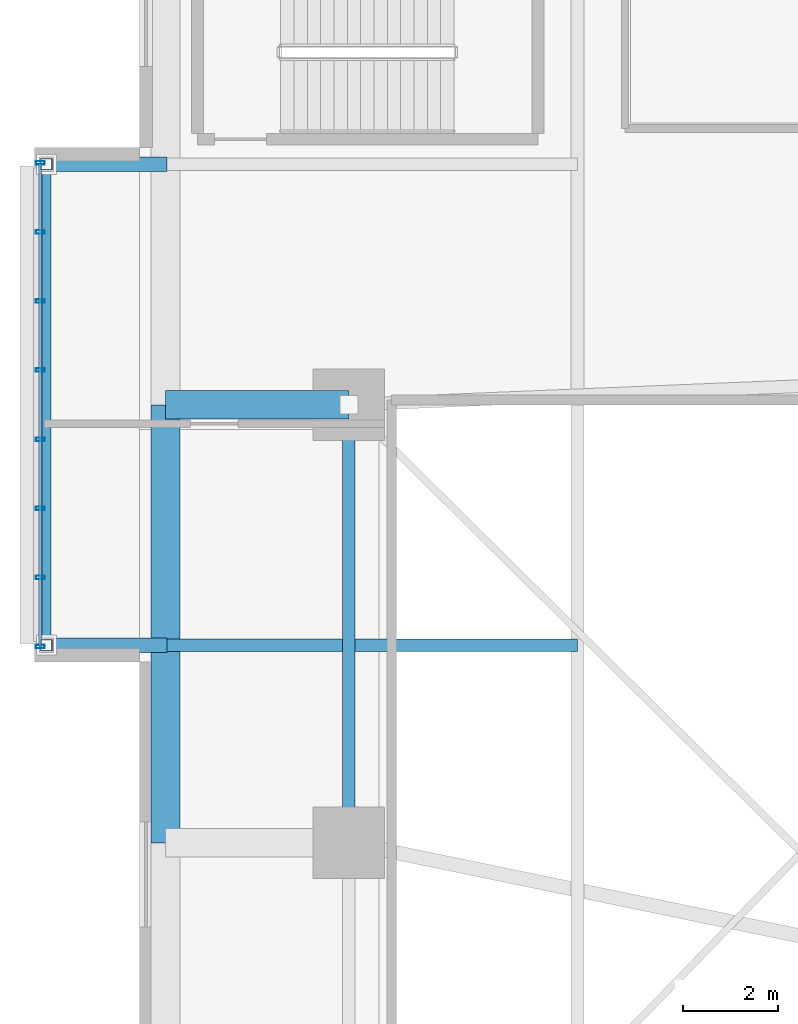
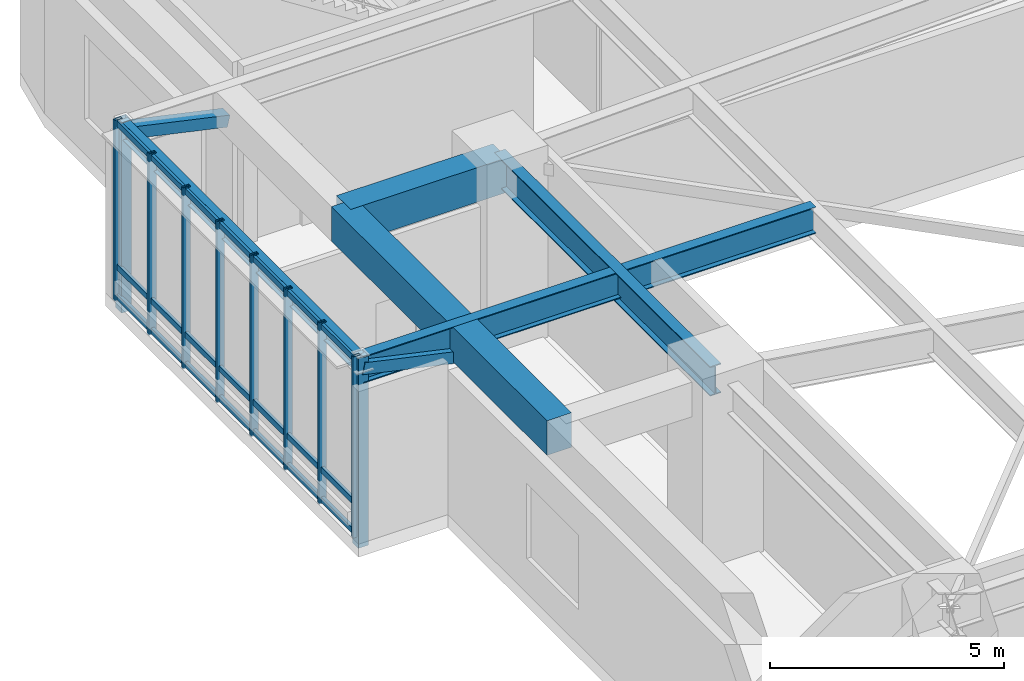
# One storey, part 5 of 24: 15 members, 5 beams, 1 element without a shape of its own.
"""IFC4 building model written with IfcOpenShell, lengths in metres."""

from ifc_helpers import new_model, si_unit, direction, frame, origin, origin_2d, place, context, subcontext, project, spatial, rectangle, hollow_rectangle, i_section, extrude, material, material_profile, profile_set, type_object, element, aggregate, save


model = new_model("IFC4")

# Units and contexts
model_context = context("Model", 3, precision=1e-05, world=origin(), true_north=direction((0.0, 1.0)))
body_context = subcontext(model_context, "Body", "Model", "MODEL_VIEW")
ifc_project = project(units=[si_unit("LENGTHUNIT", "METRE"), si_unit("AREAUNIT", "SQUARE_METRE"), si_unit("VOLUMEUNIT", "CUBIC_METRE"), si_unit("PLANEANGLEUNIT", "RADIAN"), si_unit("MASSUNIT", "GRAM", prefix="KILO")], contexts=[model_context])

# Site, building, storey
site_placement = place(None, origin())
site = spatial("IfcSite", under=ifc_project, at=site_placement, CompositionType="ELEMENT")
building_placement = place(site_placement, origin())
building = spatial("IfcBuilding", under=site, at=building_placement, Name="Zulverin Broadcast Headquarters", CompositionType="ELEMENT")
storey_placement = place(building_placement, frame((0.0, 0.0, 5.0)))
storey = spatial("IfcBuildingStorey", under=building, at=storey_placement, Name="L01", CompositionType="ELEMENT", Elevation=5.0)

# Beams
ifc_material_1 = material(Name="Concrete C40/50", Category="concrete")
ifc_material_profile_1 = material_profile(ifc_material_1, rectangle(XDim=0.60009765625, YDim=0.89990234375, at=origin_2d()), Name="Concrete C40/50", Category="concrete")
ifc_profile_set_1 = profile_set([ifc_material_profile_1], Name="Concrete C40/50")
beam_type_1 = type_object("IfcBeamType", Name="BM-RC-600x900", PredefinedType="BEAM", material=ifc_profile_set_1)
beam_1_placement = place(storey_placement, frame((4.39990234375, 34.39990234375, 4.2099609375), z_axis=(-1.0, 0.0, 0.0), x_axis=(0.0, -1.0, 0.0)))
element("IfcBeam", 1, at=beam_1_placement, inside=storey, type_object=beam_type_1, Name="L01 West Perimeter Bracket Girder WBR-3", PredefinedType="BEAM", context=body_context, shape_type="SweptSolid", body=[
    extrude(rectangle(XDim=0.60009765625, YDim=0.89990234375, at=origin_2d()), origin(), (0.0, 0.0, 1.0), 3.849853515625),
])
beam_2_placement = place(storey_placement, frame((0.550048828125, 25.199951171875, 4.2099609375), z_axis=(0.0, 1.0, 0.0), x_axis=(-1.0, 0.0, 0.0)))
element("IfcBeam", 2, at=beam_2_placement, inside=storey, type_object=beam_type_1, Name="L01 West Edge Spandrel Girder WEG-2", PredefinedType="BEAM", context=body_context, shape_type="SweptSolid", body=[
    extrude(rectangle(XDim=0.60009765625, YDim=0.89990234375, at=origin_2d()), origin(), (0.0, 0.0, 1.0), 9.199951171875),
])
ifc_material_2 = material(Name="Structural steel S355JR", Category="steel")
ifc_material_profile_2 = material_profile(ifc_material_2, i_section(OverallWidth=0.19287109375, OverallDepth=0.46728515625, WebThickness=0.011474609375, FlangeThickness=0.01953125, at=origin_2d()), Name="Structural steel S355JR", Category="steel")
ifc_profile_set_2 = profile_set([ifc_material_profile_2], Name="Structural steel S355JR")
beam_type_2 = type_object("IfcBeamType", Name="BM-UB-457", PredefinedType="JOIST", material=ifc_profile_set_2)
beam_3_placement = place(storey_placement, frame((-1.949951171875, 29.35009765625, 4.426513671875), z_axis=(0.0, 1.0, 0.0), x_axis=(-1.0, 0.0, 0.0)))
element("IfcBeam", 3, at=beam_3_placement, inside=storey, type_object=beam_type_2, Name="L01 Studio Box Edge Beam SBOX_POD_LOWER_W1", PredefinedType="JOIST", context=body_context, shape_type="SweptSolid", body=[
    extrude(i_section(OverallWidth=0.19287109375, OverallDepth=0.46728515625, WebThickness=0.011474609375, FlangeThickness=0.01953125, at=origin_2d()), origin(), (0.0, 0.0, 1.0), 10.099853515625),
])
ifc_material_profile_3 = material_profile(ifc_material_2, i_section(OverallWidth=0.255859375, OverallDepth=0.69287109375, WebThickness=0.014404296875, FlangeThickness=0.023681640625, at=origin_2d()), Name="Structural steel S355JR", Category="steel")
ifc_profile_set_3 = profile_set([ifc_material_profile_3], Name="Structural steel S355JR")
beam_type_3 = type_object("IfcBeamType", Name="BM-UB-686", PredefinedType="BEAM", material=ifc_profile_set_3)
beam_4_placement = place(storey_placement, frame((9.199951171875, 29.35009765625, 4.3134765625), z_axis=(-1.0, 0.0, 0.0), x_axis=(0.0, -1.0, 0.0)))
element("IfcBeam", 4, at=beam_4_placement, inside=storey, type_object=beam_type_3, Name="L01 Studio Box Cantilever Girder SBOX_POD_LOWER_W1-1", PredefinedType="BEAM", context=body_context, shape_type="SweptSolid", body=[
    extrude(i_section(OverallWidth=0.255859375, OverallDepth=0.69287109375, WebThickness=0.014404296875, FlangeThickness=0.023681640625, at=origin_2d()), origin(), (0.0, 0.0, 1.0), 11.14990234375),
])
ifc_material_profile_4 = material_profile(ifc_material_2, i_section(OverallWidth=0.26806640625, OverallDepth=0.769775390625, WebThickness=0.015625, FlangeThickness=0.025390625, at=origin_2d()), Name="Structural steel S355JR", Category="steel")
ifc_profile_set_4 = profile_set([ifc_material_profile_4], Name="Structural steel S355JR")
beam_type_4 = type_object("IfcBeamType", Name="BM-UB-762", PredefinedType="BEAM", material=ifc_profile_set_4)
beam_5_placement = place(storey_placement, frame((4.39990234375, 34.39990234375, 4.275146484375), z_axis=(0.0, -1.0, 0.0), x_axis=(1.0, 0.0, 0.0)))
element("IfcBeam", 5, at=beam_5_placement, inside=storey, type_object=beam_type_4, Name="L01 Podium Primary Girder P13-P12", PredefinedType="BEAM", context=body_context, shape_type="SweptSolid", body=[
    extrude(i_section(OverallWidth=0.26806640625, OverallDepth=0.769775390625, WebThickness=0.015625, FlangeThickness=0.025390625, at=origin_2d()), origin(), (0.0, 0.0, 1.0), 9.199951171875),
])

# Curtain wall, members
ifc_material_3 = material(Name="Acoustic triple-glazed studio box curtain wall", Category="aluminium")
curtain_wall_type = type_object("IfcCurtainWallType", Name="CW-SBOX", PredefinedType="USERDEFINED", material=ifc_material_3)
curtain_wall_placement = place(storey_placement, origin())
curtain_wall = element("IfcCurtainWall", 6, at=curtain_wall_placement, inside=storey, type_object=curtain_wall_type, Name="L01 Unitised Curtain Wall CW-L01-SBOX_POD_LOWER_W1-F", ObjectType="UNITISED CURTAIN WALL", PredefinedType="USERDEFINED")
ifc_material_4 = material(Name="Anodized pale-metal aluminium alloy 6063-T6", Category="aluminium")
ifc_material_profile_5 = material_profile(ifc_material_4, hollow_rectangle(XDim=0.074951171875, YDim=0.179931640625, WallThickness=0.0048828125, at=origin_2d()), Name="Anodized pale-metal aluminium alloy 6063-T6", Category="aluminium")
ifc_profile_set_5 = profile_set([ifc_material_profile_5], Name="Anodized pale-metal aluminium alloy 6063-T6")
member_type_1 = type_object("IfcMemberType", Name="CW-MUL-180", PredefinedType="MULLION", material=ifc_profile_set_5)
member_1_placement = place(storey_placement, frame((-2.080078125, 39.47998046875, -0.030029296875), z_axis=(0.0, 0.0, 1.0), x_axis=(0.0, -1.0, 0.0)))
member_1 = element("IfcMember", 7, at=member_1_placement, type_object=member_type_1, Name="CW-L01-SBOX_POD_LOWER_W1-F Mullion 00", PredefinedType="MULLION", context=body_context, shape_type="SweptSolid", body=[
    extrude(hollow_rectangle(XDim=0.074951171875, YDim=0.179931640625, WallThickness=0.0048828125, at=origin_2d()), origin(), (0.0, 0.0, 1.0), 4.719970703125),
])
member_2_placement = place(storey_placement, frame((-2.080078125, 38.028564453125, -0.030029296875), z_axis=(0.0, 0.0, 1.0), x_axis=(0.0, -1.0, 0.0)))
member_2 = element("IfcMember", 8, at=member_2_placement, type_object=member_type_1, Name="CW-L01-SBOX_POD_LOWER_W1-F Mullion 01", PredefinedType="MULLION", context=body_context, shape_type="SweptSolid", body=[
    extrude(hollow_rectangle(XDim=0.074951171875, YDim=0.179931640625, WallThickness=0.0048828125, at=origin_2d()), origin(), (0.0, 0.0, 1.0), 4.719970703125),
])
member_3_placement = place(storey_placement, frame((-2.080078125, 36.5771484375, -0.030029296875), z_axis=(0.0, 0.0, 1.0), x_axis=(0.0, -1.0, 0.0)))
member_3 = element("IfcMember", 9, at=member_3_placement, type_object=member_type_1, Name="CW-L01-SBOX_POD_LOWER_W1-F Mullion 02", PredefinedType="MULLION", context=body_context, shape_type="SweptSolid", body=[
    extrude(hollow_rectangle(XDim=0.074951171875, YDim=0.179931640625, WallThickness=0.0048828125, at=origin_2d()), origin(), (0.0, 0.0, 1.0), 4.719970703125),
])
member_4_placement = place(storey_placement, frame((-2.080078125, 35.125732421875, -0.030029296875), z_axis=(0.0, 0.0, 1.0), x_axis=(0.0, -1.0, 0.0)))
member_4 = element("IfcMember", 10, at=member_4_placement, type_object=member_type_1, Name="CW-L01-SBOX_POD_LOWER_W1-F Mullion 03", PredefinedType="MULLION", context=body_context, shape_type="SweptSolid", body=[
    extrude(hollow_rectangle(XDim=0.074951171875, YDim=0.179931640625, WallThickness=0.0048828125, at=origin_2d()), origin(), (0.0, 0.0, 1.0), 4.719970703125),
])
member_5_placement = place(storey_placement, frame((-2.080078125, 33.67431640625, -0.030029296875), z_axis=(0.0, 0.0, 1.0), x_axis=(0.0, -1.0, 0.0)))
member_5 = element("IfcMember", 11, at=member_5_placement, type_object=member_type_1, Name="CW-L01-SBOX_POD_LOWER_W1-F Mullion 04", PredefinedType="MULLION", context=body_context, shape_type="SweptSolid", body=[
    extrude(hollow_rectangle(XDim=0.074951171875, YDim=0.179931640625, WallThickness=0.0048828125, at=origin_2d()), origin(), (0.0, 0.0, 1.0), 4.719970703125),
])
member_6_placement = place(storey_placement, frame((-2.080078125, 32.222900390625, -0.030029296875), z_axis=(0.0, 0.0, 1.0), x_axis=(0.0, -1.0, 0.0)))
member_6 = element("IfcMember", 12, at=member_6_placement, type_object=member_type_1, Name="CW-L01-SBOX_POD_LOWER_W1-F Mullion 05", PredefinedType="MULLION", context=body_context, shape_type="SweptSolid", body=[
    extrude(hollow_rectangle(XDim=0.074951171875, YDim=0.179931640625, WallThickness=0.0048828125, at=origin_2d()), origin(), (0.0, 0.0, 1.0), 4.719970703125),
])
member_7_placement = place(storey_placement, frame((-2.080078125, 30.771484375, -0.030029296875), z_axis=(0.0, 0.0, 1.0), x_axis=(0.0, -1.0, 0.0)))
member_7 = element("IfcMember", 13, at=member_7_placement, type_object=member_type_1, Name="CW-L01-SBOX_POD_LOWER_W1-F Mullion 06", PredefinedType="MULLION", context=body_context, shape_type="SweptSolid", body=[
    extrude(hollow_rectangle(XDim=0.074951171875, YDim=0.179931640625, WallThickness=0.0048828125, at=origin_2d()), origin(), (0.0, 0.0, 1.0), 4.719970703125),
])
member_8_placement = place(storey_placement, frame((-2.080078125, 29.320068359375, -0.030029296875), z_axis=(0.0, 0.0, 1.0), x_axis=(0.0, -1.0, 0.0)))
member_8 = element("IfcMember", 14, at=member_8_placement, type_object=member_type_1, Name="CW-L01-SBOX_POD_LOWER_W1-F Mullion 07", PredefinedType="MULLION", context=body_context, shape_type="SweptSolid", body=[
    extrude(hollow_rectangle(XDim=0.074951171875, YDim=0.179931640625, WallThickness=0.0048828125, at=origin_2d()), origin(), (0.0, 0.0, 1.0), 4.719970703125),
])
ifc_material_profile_6 = material_profile(ifc_material_4, hollow_rectangle(XDim=0.074951171875, YDim=0.14990234375, WallThickness=0.0048828125, at=origin_2d()), Name="Anodized pale-metal aluminium alloy 6063-T6", Category="aluminium")
ifc_profile_set_6 = profile_set([ifc_material_profile_6], Name="Anodized pale-metal aluminium alloy 6063-T6")
member_type_2 = type_object("IfcMemberType", Name="CW-TRN-150", PredefinedType="USERDEFINED", material=ifc_profile_set_6)
member_9_placement = place(storey_placement, frame((-2.080078125, 39.47998046875, 0.074951171875), z_axis=(0.0, -1.0, 0.0), x_axis=(1.0, 0.0, 0.0)))
member_9 = element("IfcMember", 15, at=member_9_placement, type_object=member_type_2, Name="CW-L01-SBOX_POD_LOWER_W1-F Transom 0", ObjectType="TRANSOM", PredefinedType="USERDEFINED", context=body_context, shape_type="SweptSolid", body=[
    extrude(hollow_rectangle(XDim=0.074951171875, YDim=0.14990234375, WallThickness=0.0048828125, at=origin_2d()), origin(), (0.0, 0.0, 1.0), 10.159912109375),
])
member_10_placement = place(storey_placement, frame((-2.080078125, 39.47998046875, 0.85009765625), z_axis=(0.0, -1.0, 0.0), x_axis=(1.0, 0.0, 0.0)))
member_10 = element("IfcMember", 16, at=member_10_placement, type_object=member_type_2, Name="CW-L01-SBOX_POD_LOWER_W1-F Transom 1", ObjectType="TRANSOM", PredefinedType="USERDEFINED", context=body_context, shape_type="SweptSolid", body=[
    extrude(hollow_rectangle(XDim=0.074951171875, YDim=0.14990234375, WallThickness=0.0048828125, at=origin_2d()), origin(), (0.0, 0.0, 1.0), 10.159912109375),
])
member_11_placement = place(storey_placement, frame((-2.080078125, 39.47998046875, 4.5849609375), z_axis=(0.0, -1.0, 0.0), x_axis=(1.0, 0.0, 0.0)))
member_11 = element("IfcMember", 17, at=member_11_placement, type_object=member_type_2, Name="CW-L01-SBOX_POD_LOWER_W1-F Transom 2", ObjectType="TRANSOM", PredefinedType="USERDEFINED", context=body_context, shape_type="SweptSolid", body=[
    extrude(hollow_rectangle(XDim=0.074951171875, YDim=0.14990234375, WallThickness=0.0048828125, at=origin_2d()), origin(), (0.0, 0.0, 1.0), 10.159912109375),
])
aggregate(curtain_wall, [member_1, member_2, member_3, member_4, member_5, member_6, member_7, member_8, member_9, member_10, member_11])

# Members
ifc_material_profile_7 = material_profile(ifc_material_2, hollow_rectangle(XDim=0.300048828125, YDim=0.300048828125, WallThickness=0.01611328125, at=origin_2d()), Name="Structural steel S355JR", Category="steel")
ifc_profile_set_7 = profile_set([ifc_material_profile_7], Name="Structural steel S355JR")
member_type_3 = type_object("IfcMemberType", Name="MBR-BLT-DIAG1", PredefinedType="BRACE", material=ifc_profile_set_7)
for number, where, z_axis, x_axis, name in (
    (18, (0.550048828125, 29.35009765625, 3.81005859375), (-0.976640463768, 0.0, 0.214879977038), (0.0, -1.0, 0.0), "L01 Studio Box Raking Knee Brace SBOX_POD_LOWER_W1-1"),
    (19, (0.550048828125, 39.449951171875, 3.81005859375), (-0.976640463768, 0.0, 0.214879977038), (0.0, -1.0, 0.0), "L01 Studio Box Raking Knee Brace SBOX_POD_LOWER_W1-2"),
):
    element("IfcMember", number, at=place(storey_placement, frame(where, z_axis=z_axis, x_axis=x_axis)), inside=storey, type_object=member_type_3, Name=name, PredefinedType="BRACE", context=body_context, shape_type="SweptSolid", body=[
        extrude(hollow_rectangle(XDim=0.300048828125, YDim=0.300048828125, WallThickness=0.01611328125, at=origin_2d()), origin(), (0.0, 0.0, 1.0), 2.559814453125),
    ])
ifc_material_profile_8 = material_profile(ifc_material_2, hollow_rectangle(XDim=0.25, YDim=0.25, WallThickness=0.01611328125, at=origin_2d()), Name="Structural steel S355JR", Category="steel")
ifc_profile_set_8 = profile_set([ifc_material_profile_8], Name="Structural steel S355JR")
member_type_4 = type_object("IfcMemberType", Name="MBR-BLT-POST", PredefinedType="POST", material=ifc_profile_set_8)
for number, where, z_axis, x_axis, name in (
    (20, (-1.949951171875, 29.35009765625, -0.2900390625), (0.0, 0.0, 1.0), (1.0, 0.0, 0.0), "L01 Shifted Studio Box Frame Post SBOX_POD_LOWER_W1-1"),
    (21, (-1.949951171875, 39.449951171875, -0.2900390625), (0.0, 0.0, 1.0), (1.0, 0.0, 0.0), "L01 Shifted Studio Box Frame Post SBOX_POD_LOWER_W1-2"),
):
    element("IfcMember", number, at=place(storey_placement, frame(where, z_axis=z_axis, x_axis=x_axis)), inside=storey, type_object=member_type_4, Name=name, PredefinedType="POST", context=body_context, shape_type="SweptSolid", body=[
        extrude(hollow_rectangle(XDim=0.25, YDim=0.25, WallThickness=0.01611328125, at=origin_2d()), origin(), (0.0, 0.0, 1.0), 4.949951171875),
    ])

save(model, "model.ifc")
